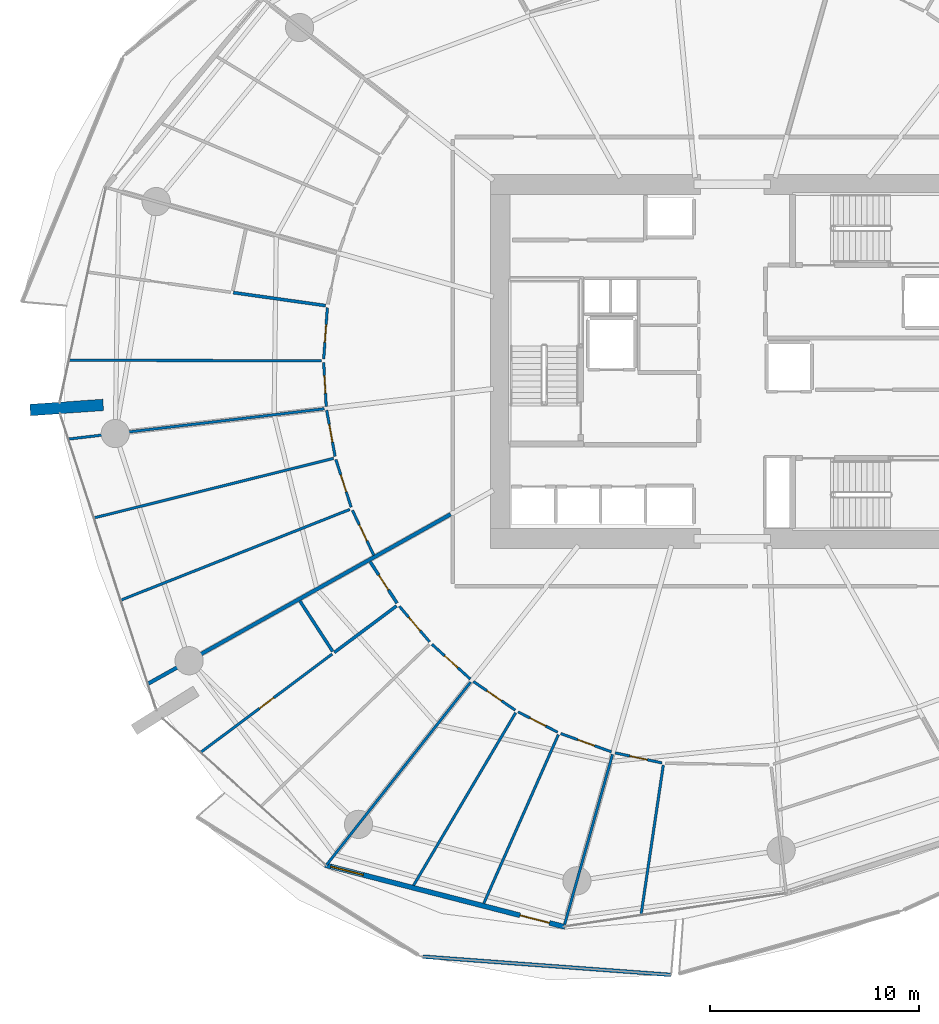
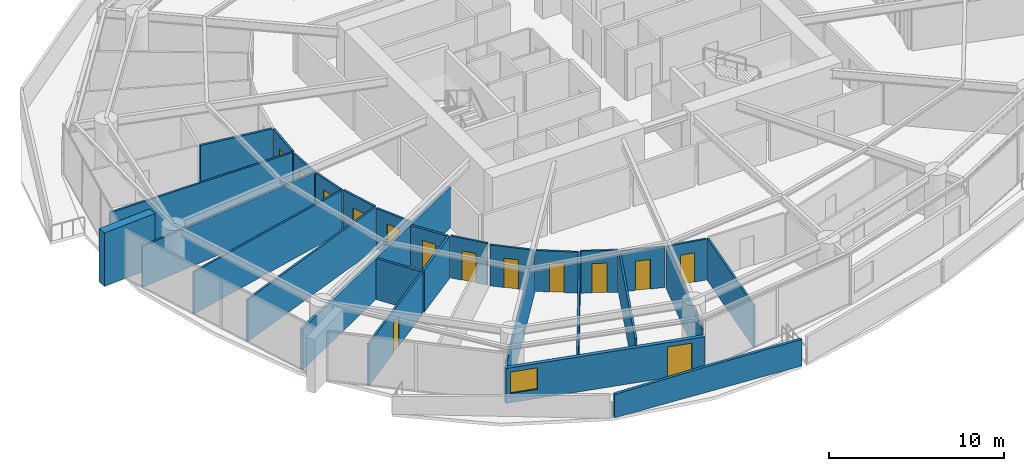
# One storey, part 19 of 31: 29 walls, 14 doors, 1 window, 15 openings.
"""IFC4 building model written with IfcOpenShell, lengths in metres."""

from ifc_helpers import new_model, si_unit, direction, frame, frame_2d, origin, place, context, subcontext, project, spatial, polyline, rectangle, outline, extrude, material, layer, layer_set, type_object, element, fill, save


model = new_model("IFC4")

# Units and contexts
model_context = context("Model", 3, precision=1e-05, world=origin(), true_north=direction((0.0, 1.0)))
body_context = subcontext(model_context, "Body", "Model", "MODEL_VIEW")
ifc_project = project(units=[si_unit("LENGTHUNIT", "METRE"), si_unit("AREAUNIT", "SQUARE_METRE"), si_unit("VOLUMEUNIT", "CUBIC_METRE"), si_unit("PLANEANGLEUNIT", "RADIAN"), si_unit("MASSUNIT", "GRAM", prefix="KILO")], contexts=[model_context])

# Site, building, storey
site_placement = place(None, origin())
site = spatial("IfcSite", under=ifc_project, at=site_placement, CompositionType="ELEMENT")
building_placement = place(site_placement, origin())
building = spatial("IfcBuilding", under=site, at=building_placement, Name="Kazma Halo Residences", CompositionType="ELEMENT")
storey_placement = place(building_placement, frame((0.0, 0.0, 48.89990234375)))
storey = spatial("IfcBuildingStorey", under=building, at=storey_placement, Name="L11", CompositionType="ELEMENT", Elevation=48.89990234375)

# Walls
ifc_material_1 = material(Name="White Concrete C50/60 Balustrade", Category="concrete")
ifc_layer_1 = layer(ifc_material_1, 0.179931640625)
ifc_layer_set_1 = layer_set([ifc_layer_1], Name="White Concrete C50/60 Balustrade")
wall_type_1 = type_object("IfcWallType", Name="WL-BAL-WAVE-180", PredefinedType="PARAPET", material=ifc_layer_set_1)
wall_1_placement = place(storey_placement, frame((33.615234375, 13.5244140625, 0.0), z_axis=(0.0, 0.0, 1.0), x_axis=(0.997303550782, -0.073386835312, 0.0)))
element("IfcWall", 1, at=wall_1_placement, inside=storey, type_object=wall_type_1, Name="L11 white wave balustrade wall SW.2", PredefinedType="PARAPET", context=body_context, shape_type="SweptSolid", body=[
    extrude(outline(polyline([(0.0, 0.0), (11.926513671875, 0.0), (11.926513671875, 1.860107421875), (5.96337890625, 1.798095703125), (0.0, 1.632080078125), (0.0, 0.0)])), frame((0.0, 0.08984375, 0.0), z_axis=(0.0, -1.0, 0.0), x_axis=(1.0, 0.0, 0.0)), (0.0, 0.0, 1.0), 0.179931640625),
])
ifc_material_2 = material(Name="Pale Concrete C60/75", Category="concrete")
ifc_layer_2 = layer(ifc_material_2, 0.550048828125)
ifc_layer_set_2 = layer_set([ifc_layer_2], Name="Pale Concrete C60/75")
wall_type_2 = type_object("IfcWallType", Name="WL-BLADE-550", PredefinedType="SOLIDWALL", material=ifc_layer_set_2)
wall_2_placement = place(storey_placement, frame((18.322021484375, 39.9248046875, 0.0), z_axis=(0.0, 0.0, 1.0), x_axis=(-0.997564163539, -0.069754853754, 0.0)))
element("IfcWall", 2, at=wall_2_placement, inside=storey, type_object=wall_type_2, Name="L11 pale concrete structural blade fin wall BW-02", PredefinedType="SOLIDWALL", context=body_context, shape_type="SweptSolid", body=[
    extrude(rectangle(XDim=3.5, YDim=0.550048828125, at=frame_2d((1.75, 0.0))), origin(), (0.0, 0.0, 1.0), 3.75),
])
ifc_material_3 = material(Name="Acoustic Twin-Stud Gypsum")
ifc_layer_3 = layer(ifc_material_3, 0.179931640625)
ifc_layer_set_3 = layer_set([ifc_layer_3], Name="Acoustic Twin-Stud Gypsum")
wall_type_3 = type_object("IfcWallType", Name="WL-DEM-180", PredefinedType="PARTITIONING", material=ifc_layer_set_3)
wall_3_placement = place(storey_placement, frame((34.9541015625, 34.694091796875, 0.0), z_axis=(0.0, 0.0, 1.0), x_axis=(-0.872493465611, -0.488625779577, 0.0)))
element("IfcWall", 3, at=wall_3_placement, inside=storey, type_object=wall_type_3, Name="L11 apartment demising radial wall 08", PredefinedType="PARTITIONING", context=body_context, shape_type="SweptSolid", body=[
    extrude(rectangle(XDim=16.586181640625, YDim=0.179931640625, at=frame_2d((8.29296875, 0.0))), origin(), (0.0, 0.0, 1.0), 2.8671875),
])

# Wall, openings, door, window
ifc_material_4 = material(Name="Insulated Pale-Metal Composite Wall")
ifc_layer_4 = layer(ifc_material_4, 0.239990234375)
ifc_layer_set_4 = layer_set([ifc_layer_4], Name="Insulated Pale-Metal Composite Wall")
wall_type_4 = type_object("IfcWallType", Name="WL-EXT-HOST-240", PredefinedType="SOLIDWALL", material=ifc_layer_set_4)
wall_4_placement = place(storey_placement, frame((28.94580078125, 17.90380859375, 0.0), z_axis=(0.0, 0.0, 1.0), x_axis=(0.96833871487, -0.249640007378, 0.0)))
wall_4 = element("IfcWall", 4, at=wall_4_placement, inside=storey, type_object=wall_type_4, Name="L11 exterior terrace-access wall B10", PredefinedType="SOLIDWALL", context=body_context, shape_type="SweptSolid", body=[
    extrude(rectangle(XDim=11.85107421875, YDim=0.239990234375, at=frame_2d((5.925537109375, 0.0))), origin(), (0.0, 0.0, 1.0), 2.4501953125),
])
opening_1_placement = place(wall_4_placement, frame((9.631103515625, 0.0, 0.0)))
opening_1 = element("IfcOpeningElement", 5, at=opening_1_placement, cuts=wall_4, Name="Opening DTR-1600", PredefinedType="OPENING", context=body_context, shape_type="SweptSolid", body=[
    extrude(rectangle(XDim=1.449951171875, YDim=2.14990234375, at=frame_2d((0.72509765625, 1.074951171875))), frame((0.0, 0.1298828125, 0.0), z_axis=(0.0, -1.0, 0.0), x_axis=(1.0, 0.0, 0.0)), (0.0, 0.0, 1.0), 0.260009765625),
])
opening_2_placement = place(wall_4_placement, frame((0.280029296875, 0.0, 0.64990234375)))
opening_2 = element("IfcOpeningElement", 6, at=opening_2_placement, cuts=wall_4, Name="Opening W-1800", PredefinedType="OPENING", context=body_context, shape_type="SweptSolid", body=[
    extrude(rectangle(XDim=1.60009765625, YDim=1.5, at=frame_2d((0.800048828125, 0.75))), frame((0.0, 0.1298828125, 0.0), z_axis=(0.0, -1.0, 0.0), x_axis=(1.0, 0.0, 0.0)), (0.0, 0.0, 1.0), 0.260009765625),
])
ifc_material_5 = material(Name="Aluminium AW-6063 T6 Double-Glazed Terrace Door", Category="aluminium")
door_type_1 = type_object("IfcDoorType", Name="DR-EXT-TERR-1600", OperationType="NOTDEFINED", PredefinedType="DOOR", material=ifc_material_5)
door_1_placement = place(opening_1_placement, origin())
door_1 = element("IfcDoor", 7, at=door_1_placement, inside=storey, type_object=door_type_1, Name="L11 B10 balcony terrace door", OperationType="DOUBLE_DOOR_SLIDING", OverallHeight=2.14990234375, OverallWidth=1.449951171875, PredefinedType="DOOR", context=body_context, shape_type="SweptSolid", body=[
    extrude(rectangle(XDim=1.449951171875, YDim=2.14990234375, at=frame_2d((0.72509765625, 1.074951171875))), frame((0.0, 0.02490234375, 0.0), z_axis=(0.0, -1.0, 0.0), x_axis=(1.0, 0.0, 0.0)), (0.0, 0.0, 1.0), 0.050048828125),
])
fill(opening_1, door_1)
ifc_material_6 = material(Name="Clear Triple-Silver Low-E Glass in Aluminium AW-6063 T6 Frame", Category="aluminium")
window_type = type_object("IfcWindowType", Name="WIN-RES-1800", PartitioningType="DOUBLE_PANEL_VERTICAL", PredefinedType="WINDOW", material=ifc_material_6)
window_placement = place(opening_2_placement, origin())
window = element("IfcWindow", 8, at=window_placement, inside=storey, type_object=window_type, Name="L11 B10 apartment window", OverallHeight=1.5, OverallWidth=1.60009765625, PartitioningType="SINGLE_PANEL", PredefinedType="WINDOW", context=body_context, shape_type="SweptSolid", body=[
    extrude(rectangle(XDim=1.60009765625, YDim=1.5, at=frame_2d((0.800048828125, 0.75))), frame((0.0, 0.030029296875, 0.0), z_axis=(0.0, -1.0, 0.0), x_axis=(1.0, 0.0, 0.0)), (0.0, 0.0, 1.0), 0.06005859375),
])
fill(opening_2, window)

# Wall
ifc_material_7 = material(Name="Gypsum Plasterboard Partition")
ifc_layer_5 = layer(ifc_material_7, 0.125)
ifc_layer_set_5 = layer_set([ifc_layer_5], Name="Gypsum Plasterboard Partition")
wall_type_5 = type_object("IfcWallType", Name="WL-PART-125", PredefinedType="PARTITIONING", material=ifc_layer_set_5)
wall_5_placement = place(storey_placement, frame((28.780029296875, 42.0380859375, 0.0), z_axis=(0.0, 0.0, 1.0), x_axis=(-0.999998036955, 0.001981435282, 0.0)))
element("IfcWall", 9, at=wall_5_placement, inside=storey, type_object=wall_type_5, Name="L11 Apartment 1 suite divider 6", PredefinedType="PARTITIONING", context=body_context, shape_type="SweptSolid", body=[
    extrude(rectangle(XDim=12.074951171875, YDim=0.125, at=frame_2d((6.03759765625, 0.0))), origin(), (0.0, 0.0, 1.0), 2.940185546875),
])

# Wall, opening, door
wall_6_placement = place(storey_placement, frame((29.05029296875, 44.575927734375, 0.0), z_axis=(0.0, 0.0, 1.0), x_axis=(-0.070831673661, -0.997488282641, 0.0)))
wall_6 = element("IfcWall", 10, at=wall_6_placement, inside=storey, type_object=wall_type_5, Name="L11 Apartment 1 Gulf Formal Dining Room hall wall", PredefinedType="PARTITIONING", context=body_context, shape_type="SweptSolid", body=[
    extrude(rectangle(XDim=2.46435546875, YDim=0.125, at=frame_2d((1.232177734375, 0.0))), origin(), (0.0, 0.0, 1.0), 2.940185546875),
])
opening_3_placement = place(wall_6_placement, frame((0.80712890625, 0.0, 0.0)))
opening_3 = element("IfcOpeningElement", 11, at=opening_3_placement, cuts=wall_6, Name="Opening DB-900", PredefinedType="OPENING", context=body_context, shape_type="SweptSolid", body=[
    extrude(rectangle(XDim=0.85009765625, YDim=2.06005859375, at=frame_2d((0.425048828125, 1.030029296875))), frame((0.0, 0.072509765625, 0.0), z_axis=(0.0, -1.0, 0.0), x_axis=(1.0, 0.0, 0.0)), (0.0, 0.0, 1.0), 0.14501953125),
])
ifc_material_8 = material(Name="Moisture-Sealed Timber Leaf", Category="wood")
door_type_2 = type_object("IfcDoorType", Name="DR-BTH-900", OperationType="NOTDEFINED", PredefinedType="DOOR", material=ifc_material_8)
door_2_placement = place(opening_3_placement, origin())
door_2 = element("IfcDoor", 12, at=door_2_placement, inside=storey, type_object=door_type_2, Name="L11 Apartment 1 Gulf Formal Dining Room door", OperationType="SINGLE_SWING_RIGHT", OverallHeight=2.06005859375, OverallWidth=0.85009765625, PredefinedType="DOOR", context=body_context, shape_type="SweptSolid", body=[
    extrude(rectangle(XDim=0.85009765625, YDim=2.06005859375, at=frame_2d((0.425048828125, 1.030029296875))), frame((0.0, 0.02490234375, 0.0), z_axis=(0.0, -1.0, 0.0), x_axis=(1.0, 0.0, 0.0)), (0.0, 0.0, 1.0), 0.050048828125),
])
fill(opening_3, door_2)

wall_7_placement = place(storey_placement, frame((28.87451171875, 41.9580078125, 0.0), z_axis=(0.0, 0.0, 1.0), x_axis=(0.057962417622, -0.998318765797, 0.0)))
wall_7 = element("IfcWall", 13, at=wall_7_placement, inside=storey, type_object=wall_type_5, Name="L11 Apartment 1 Primary Master Bedroom hall wall", PredefinedType="PARTITIONING", context=body_context, shape_type="SweptSolid", body=[
    extrude(rectangle(XDim=2.1103515625, YDim=0.125, at=frame_2d((1.05517578125, 0.0))), origin(), (0.0, 0.0, 1.0), 2.8671875),
])
opening_4_placement = place(wall_7_placement, frame((0.630126953125, 0.0, 0.0)))
opening_4 = element("IfcOpeningElement", 14, at=opening_4_placement, cuts=wall_7, Name="Opening DB-900", PredefinedType="OPENING", context=body_context, shape_type="SweptSolid", body=[
    extrude(rectangle(XDim=0.85009765625, YDim=2.06005859375, at=frame_2d((0.425048828125, 1.030029296875))), frame((0.0, 0.072509765625, 0.0), z_axis=(0.0, -1.0, 0.0), x_axis=(1.0, 0.0, 0.0)), (0.0, 0.0, 1.0), 0.14501953125),
])
door_3_placement = place(opening_4_placement, origin())
door_3 = element("IfcDoor", 15, at=door_3_placement, inside=storey, type_object=door_type_2, Name="L11 Apartment 1 Primary Master Bedroom door", OperationType="SINGLE_SWING_LEFT", OverallHeight=2.06005859375, OverallWidth=0.85009765625, PredefinedType="DOOR", context=body_context, shape_type="SweptSolid", body=[
    extrude(rectangle(XDim=0.85009765625, YDim=2.06005859375, at=frame_2d((0.425048828125, 1.030029296875))), frame((0.0, 0.02490234375, 0.0), z_axis=(0.0, -1.0, 0.0), x_axis=(1.0, 0.0, 0.0)), (0.0, 0.0, 1.0), 0.050048828125),
])
fill(opening_4, door_3)

# Walls
wall_8_placement = place(storey_placement, frame((28.9033203125, 39.73974609375, 0.0), z_axis=(0.0, 0.0, 1.0), x_axis=(-0.993068040113, -0.117540919282, 0.0)))
element("IfcWall", 16, at=wall_8_placement, inside=storey, type_object=wall_type_5, Name="L11 Apartment 1 radial partition 7", PredefinedType="PARTITIONING", context=body_context, shape_type="SweptSolid", body=[
    extrude(rectangle(XDim=12.30859375, YDim=0.125, at=frame_2d((6.154296875, 0.0))), origin(), (0.0, 0.0, 1.0), 2.8671875),
])
wall_9_placement = place(storey_placement, frame((29.346923828125, 37.366455078125, 0.0), z_axis=(0.0, 0.0, 1.0), x_axis=(-0.970510462135, -0.241059002917, 0.0)))
element("IfcWall", 17, at=wall_9_placement, inside=storey, type_object=wall_type_5, Name="L11 Apartment 1 bay wall 1 7", PredefinedType="PARTITIONING", context=body_context, shape_type="SweptSolid", body=[
    extrude(rectangle(XDim=11.789794921875, YDim=0.125, at=frame_2d((5.89501953125, 0.0))), origin(), (0.0, 0.0, 1.0), 2.940185546875),
])
wall_10_placement = place(storey_placement, frame((30.129638671875, 34.9248046875, 0.0), z_axis=(0.0, 0.0, 1.0), x_axis=(-0.929770978957, -0.368138461302, 0.0)))
element("IfcWall", 18, at=wall_10_placement, inside=storey, type_object=wall_type_5, Name="L11 Apartment 1 bay wall 2 7", PredefinedType="PARTITIONING", context=body_context, shape_type="SweptSolid", body=[
    extrude(rectangle(XDim=11.7734375, YDim=0.125, at=frame_2d((5.88671875, 0.0))), origin(), (0.0, 0.0, 1.0), 2.940185546875),
])

# Wall, opening, door
wall_11_placement = place(storey_placement, frame((29.01708984375, 39.6728515625, 0.0), z_axis=(0.0, 0.0, 1.0), x_axis=(0.179632658462, -0.983733758704, 0.0)))
wall_11 = element("IfcWall", 19, at=wall_11_placement, inside=storey, type_object=wall_type_5, Name="L11 Apartment 1 West Master Bedroom hall wall", PredefinedType="PARTITIONING", context=body_context, shape_type="SweptSolid", body=[
    extrude(rectangle(XDim=2.242431640625, YDim=0.125, at=frame_2d((1.12109375, 0.0))), origin(), (0.0, 0.0, 1.0), 2.8671875),
])
opening_5_placement = place(wall_11_placement, frame((0.6962890625, 0.0, 0.0)))
opening_5 = element("IfcOpeningElement", 20, at=opening_5_placement, cuts=wall_11, Name="Opening DB-900", PredefinedType="OPENING", context=body_context, shape_type="SweptSolid", body=[
    extrude(rectangle(XDim=0.85009765625, YDim=2.06005859375, at=frame_2d((0.425048828125, 1.030029296875))), frame((0.0, 0.072509765625, 0.0), z_axis=(0.0, -1.0, 0.0), x_axis=(1.0, 0.0, 0.0)), (0.0, 0.0, 1.0), 0.14501953125),
])
door_4_placement = place(opening_5_placement, origin())
door_4 = element("IfcDoor", 21, at=door_4_placement, inside=storey, type_object=door_type_2, Name="L11 Apartment 1 West Master Bedroom door", OperationType="SINGLE_SWING_RIGHT", OverallHeight=2.06005859375, OverallWidth=0.85009765625, PredefinedType="DOOR", context=body_context, shape_type="SweptSolid", body=[
    extrude(rectangle(XDim=0.85009765625, YDim=2.06005859375, at=frame_2d((0.425048828125, 1.030029296875))), frame((0.0, 0.02490234375, 0.0), z_axis=(0.0, -1.0, 0.0), x_axis=(1.0, 0.0, 0.0)), (0.0, 0.0, 1.0), 0.050048828125),
])
fill(opening_5, door_4)

wall_12_placement = place(storey_placement, frame((29.45849609375, 37.31201171875, 0.0), z_axis=(0.0, 0.0, 1.0), x_axis=(0.305338513131, -0.952243872335, 0.0)))
wall_12 = element("IfcWall", 22, at=wall_12_placement, inside=storey, type_object=wall_type_5, Name="L11 Apartment 1 North Dressing Wardrobe hall wall", PredefinedType="PARTITIONING", context=body_context, shape_type="SweptSolid", body=[
    extrude(rectangle(XDim=2.392333984375, YDim=0.125, at=frame_2d((1.1962890625, 0.0))), origin(), (0.0, 0.0, 1.0), 2.940185546875),
])
opening_6_placement = place(wall_12_placement, frame((0.77099609375, 0.0, 0.0)))
opening_6 = element("IfcOpeningElement", 23, at=opening_6_placement, cuts=wall_12, Name="Opening DB-900", PredefinedType="OPENING", context=body_context, shape_type="SweptSolid", body=[
    extrude(rectangle(XDim=0.85009765625, YDim=2.06005859375, at=frame_2d((0.425048828125, 1.030029296875))), frame((0.0, 0.072509765625, 0.0), z_axis=(0.0, -1.0, 0.0), x_axis=(1.0, 0.0, 0.0)), (0.0, 0.0, 1.0), 0.14501953125),
])
door_5_placement = place(opening_6_placement, origin())
door_5 = element("IfcDoor", 24, at=door_5_placement, inside=storey, type_object=door_type_2, Name="L11 Apartment 1 North Dressing Wardrobe door", OperationType="SINGLE_SWING_LEFT", OverallHeight=2.06005859375, OverallWidth=0.85009765625, PredefinedType="DOOR", context=body_context, shape_type="SweptSolid", body=[
    extrude(rectangle(XDim=0.85009765625, YDim=2.06005859375, at=frame_2d((0.425048828125, 1.030029296875))), frame((0.0, 0.02490234375, 0.0), z_axis=(0.0, -1.0, 0.0), x_axis=(1.0, 0.0, 0.0)), (0.0, 0.0, 1.0), 0.050048828125),
])
fill(opening_6, door_5)

wall_13_placement = place(storey_placement, frame((30.247802734375, 34.885498046875, 0.0), z_axis=(0.0, 0.0, 1.0), x_axis=(0.429366977128, -0.903130111862, 0.0)))
wall_13 = element("IfcWall", 25, at=wall_13_placement, inside=storey, type_object=wall_type_5, Name="L11 Apartment 1 South Master Bedroom hall wall", PredefinedType="PARTITIONING", context=body_context, shape_type="SweptSolid", body=[
    extrude(rectangle(XDim=2.39208984375, YDim=0.125, at=frame_2d((1.196044921875, 0.0))), origin(), (0.0, 0.0, 1.0), 2.8671875),
])
opening_7_placement = place(wall_13_placement, frame((0.77099609375, 0.0, 0.0)))
opening_7 = element("IfcOpeningElement", 26, at=opening_7_placement, cuts=wall_13, Name="Opening DB-900", PredefinedType="OPENING", context=body_context, shape_type="SweptSolid", body=[
    extrude(rectangle(XDim=0.85009765625, YDim=2.06005859375, at=frame_2d((0.425048828125, 1.030029296875))), frame((0.0, 0.072509765625, 0.0), z_axis=(0.0, -1.0, 0.0), x_axis=(1.0, 0.0, 0.0)), (0.0, 0.0, 1.0), 0.14501953125),
])
door_6_placement = place(opening_7_placement, origin())
door_6 = element("IfcDoor", 27, at=door_6_placement, inside=storey, type_object=door_type_2, Name="L11 Apartment 1 South Master Bedroom door", OperationType="SINGLE_SWING_RIGHT", OverallHeight=2.06005859375, OverallWidth=0.85009765625, PredefinedType="DOOR", context=body_context, shape_type="SweptSolid", body=[
    extrude(rectangle(XDim=0.85009765625, YDim=2.06005859375, at=frame_2d((0.425048828125, 1.030029296875))), frame((0.0, 0.02490234375, 0.0), z_axis=(0.0, -1.0, 0.0), x_axis=(1.0, 0.0, 0.0)), (0.0, 0.0, 1.0), 0.050048828125),
])
fill(opening_7, door_6)

wall_14_placement = place(storey_placement, frame((29.280517578125, 28.00244140625, 0.0), z_axis=(0.0, 0.0, 1.0), x_axis=(-0.800858109459, -0.598854146278, 0.0)))
wall_14 = element("IfcWall", 28, at=wall_14_placement, inside=storey, type_object=wall_type_5, Name="L11 Apartment 2 Household Store Room partition wall", PredefinedType="PARTITIONING", context=body_context, shape_type="SweptSolid", body=[
    extrude(rectangle(XDim=7.844970703125, YDim=0.125, at=frame_2d((3.92236328125, 0.0))), origin(), (0.0, 0.0, 1.0), 2.940185546875),
])
opening_8_placement = place(wall_14_placement, frame((3.49755859375, 0.0, 0.0)))
opening_8 = element("IfcOpeningElement", 29, at=opening_8_placement, cuts=wall_14, Name="Opening DB-900", PredefinedType="OPENING", context=body_context, shape_type="SweptSolid", body=[
    extrude(rectangle(XDim=0.85009765625, YDim=2.06005859375, at=frame_2d((0.425048828125, 1.030029296875))), frame((0.0, 0.072509765625, 0.0), z_axis=(0.0, -1.0, 0.0), x_axis=(1.0, 0.0, 0.0)), (0.0, 0.0, 1.0), 0.14501953125),
])
door_7_placement = place(opening_8_placement, origin())
door_7 = element("IfcDoor", 30, at=door_7_placement, inside=storey, type_object=door_type_2, Name="L11 Apartment 2 Household Store Room door", OperationType="SINGLE_SWING_LEFT", OverallHeight=2.06005859375, OverallWidth=0.85009765625, PredefinedType="DOOR", context=body_context, shape_type="SweptSolid", body=[
    extrude(rectangle(XDim=0.85009765625, YDim=2.06005859375, at=frame_2d((0.425048828125, 1.030029296875))), frame((0.0, 0.02490234375, 0.0), z_axis=(0.0, -1.0, 0.0), x_axis=(1.0, 0.0, 0.0)), (0.0, 0.0, 1.0), 0.050048828125),
])
fill(opening_8, door_7)

wall_15_placement = place(storey_placement, frame((32.494384765625, 30.29345703125, 0.0), z_axis=(0.0, 0.0, 1.0), x_axis=(0.64730971506, -0.762227087415, 0.0)))
wall_15 = element("IfcWall", 31, at=wall_15_placement, inside=storey, type_object=wall_type_5, Name="L11 Apartment 2 Gourmet Kitchen hall wall", PredefinedType="PARTITIONING", context=body_context, shape_type="SweptSolid", body=[
    extrude(rectangle(XDim=2.2392578125, YDim=0.125, at=frame_2d((1.11962890625, 0.0))), origin(), (0.0, 0.0, 1.0), 2.940185546875),
])
opening_9_placement = place(wall_15_placement, frame((0.694580078125, 0.0, 0.0)))
opening_9 = element("IfcOpeningElement", 32, at=opening_9_placement, cuts=wall_15, Name="Opening DB-900", PredefinedType="OPENING", context=body_context, shape_type="SweptSolid", body=[
    extrude(rectangle(XDim=0.85009765625, YDim=2.06005859375, at=frame_2d((0.425048828125, 1.030029296875))), frame((0.0, 0.072509765625, 0.0), z_axis=(0.0, -1.0, 0.0), x_axis=(1.0, 0.0, 0.0)), (0.0, 0.0, 1.0), 0.14501953125),
])
door_8_placement = place(opening_9_placement, origin())
door_8 = element("IfcDoor", 33, at=door_8_placement, inside=storey, type_object=door_type_2, Name="L11 Apartment 2 Gourmet Kitchen door", OperationType="SINGLE_SWING_RIGHT", OverallHeight=2.06005859375, OverallWidth=0.85009765625, PredefinedType="DOOR", context=body_context, shape_type="SweptSolid", body=[
    extrude(rectangle(XDim=0.85009765625, YDim=2.06005859375, at=frame_2d((0.425048828125, 1.030029296875))), frame((0.0, 0.02490234375, 0.0), z_axis=(0.0, -1.0, 0.0), x_axis=(1.0, 0.0, 0.0)), (0.0, 0.0, 1.0), 0.050048828125),
])
fill(opening_9, door_8)

wall_16_placement = place(storey_placement, frame((34.054931640625, 28.471923828125, 0.0), z_axis=(0.0, 0.0, 1.0), x_axis=(0.741069539407, -0.671428281921, 0.0)))
wall_16 = element("IfcWall", 34, at=wall_16_placement, inside=storey, type_object=wall_type_5, Name="L11 Apartment 2 Master Bedroom hall wall", PredefinedType="PARTITIONING", context=body_context, shape_type="SweptSolid", body=[
    extrude(rectangle(XDim=2.48193359375, YDim=0.125, at=frame_2d((1.240966796875, 0.0))), origin(), (0.0, 0.0, 1.0), 2.8671875),
])
opening_10_placement = place(wall_16_placement, frame((0.816162109375, 0.0, 0.0)))
opening_10 = element("IfcOpeningElement", 35, at=opening_10_placement, cuts=wall_16, Name="Opening DB-900", PredefinedType="OPENING", context=body_context, shape_type="SweptSolid", body=[
    extrude(rectangle(XDim=0.85009765625, YDim=2.06005859375, at=frame_2d((0.425048828125, 1.030029296875))), frame((0.0, 0.072509765625, 0.0), z_axis=(0.0, -1.0, 0.0), x_axis=(1.0, 0.0, 0.0)), (0.0, 0.0, 1.0), 0.14501953125),
])
door_9_placement = place(opening_10_placement, origin())
door_9 = element("IfcDoor", 36, at=door_9_placement, inside=storey, type_object=door_type_2, Name="L11 Apartment 2 Master Bedroom door", OperationType="SINGLE_SWING_LEFT", OverallHeight=2.06005859375, OverallWidth=0.85009765625, PredefinedType="DOOR", context=body_context, shape_type="SweptSolid", body=[
    extrude(rectangle(XDim=0.85009765625, YDim=2.06005859375, at=frame_2d((0.425048828125, 1.030029296875))), frame((0.0, 0.02490234375, 0.0), z_axis=(0.0, -1.0, 0.0), x_axis=(1.0, 0.0, 0.0)), (0.0, 0.0, 1.0), 0.050048828125),
])
fill(opening_10, door_9)

# Walls
wall_17_placement = place(storey_placement, frame((35.906494140625, 26.65966796875, 0.0), z_axis=(0.0, 0.0, 1.0), x_axis=(-0.619079945304, -0.785327970546, 0.0)))
element("IfcWall", 37, at=wall_17_placement, inside=storey, type_object=wall_type_5, Name="L11 Apartment 2 radial partition 9", PredefinedType="PARTITIONING", context=body_context, shape_type="SweptSolid", body=[
    extrude(rectangle(XDim=11.140380859375, YDim=0.125, at=frame_2d((5.5703125, 0.0))), origin(), (0.0, 0.0, 1.0), 2.8671875),
])
wall_18_placement = place(storey_placement, frame((38.0615234375, 25.19482421875, 0.0), z_axis=(0.0, 0.0, 1.0), x_axis=(-0.5090404875, -0.860742575969, 0.0)))
element("IfcWall", 38, at=wall_18_placement, inside=storey, type_object=wall_type_5, Name="L11 Apartment 2 bay wall 1 9", PredefinedType="PARTITIONING", context=body_context, shape_type="SweptSolid", body=[
    extrude(rectangle(XDim=9.593994140625, YDim=0.125, at=frame_2d((4.796875, 0.0))), origin(), (0.0, 0.0, 1.0), 2.940185546875),
])
wall_19_placement = place(storey_placement, frame((40.105712890625, 24.143310546875, 0.0), z_axis=(0.0, 0.0, 1.0), x_axis=(-0.404353353302, -0.91460284587, 0.0)))
element("IfcWall", 39, at=wall_19_placement, inside=storey, type_object=wall_type_5, Name="L11 Apartment 2 bay wall 2 9", PredefinedType="PARTITIONING", context=body_context, shape_type="SweptSolid", body=[
    extrude(rectangle(XDim=8.822998046875, YDim=0.125, at=frame_2d((4.41162109375, 0.0))), origin(), (0.0, 0.0, 1.0), 2.940185546875),
])

# Wall, opening, door
wall_20_placement = place(storey_placement, frame((36.034423828125, 26.693115234375, 0.0), z_axis=(0.0, 0.0, 1.0), x_axis=(0.824802387359, -0.56542110131, 0.0)))
wall_20 = element("IfcWall", 40, at=wall_20_placement, inside=storey, type_object=wall_type_5, Name="L11 Apartment 2 East Bedroom hall wall", PredefinedType="PARTITIONING", context=body_context, shape_type="SweptSolid", body=[
    extrude(rectangle(XDim=2.43310546875, YDim=0.125, at=frame_2d((1.216552734375, 0.0))), origin(), (0.0, 0.0, 1.0), 2.8671875),
])
opening_11_placement = place(wall_20_placement, frame((0.79150390625, 0.0, 0.0)))
opening_11 = element("IfcOpeningElement", 41, at=opening_11_placement, cuts=wall_20, Name="Opening DB-900", PredefinedType="OPENING", context=body_context, shape_type="SweptSolid", body=[
    extrude(rectangle(XDim=0.85009765625, YDim=2.06005859375, at=frame_2d((0.425048828125, 1.030029296875))), frame((0.0, 0.072509765625, 0.0), z_axis=(0.0, -1.0, 0.0), x_axis=(1.0, 0.0, 0.0)), (0.0, 0.0, 1.0), 0.14501953125),
])
door_10_placement = place(opening_11_placement, origin())
door_10 = element("IfcDoor", 42, at=door_10_placement, inside=storey, type_object=door_type_2, Name="L11 Apartment 2 East Bedroom door", OperationType="SINGLE_SWING_RIGHT", OverallHeight=2.06005859375, OverallWidth=0.85009765625, PredefinedType="DOOR", context=body_context, shape_type="SweptSolid", body=[
    extrude(rectangle(XDim=0.85009765625, YDim=2.06005859375, at=frame_2d((0.425048828125, 1.030029296875))), frame((0.0, 0.02490234375, 0.0), z_axis=(0.0, -1.0, 0.0), x_axis=(1.0, 0.0, 0.0)), (0.0, 0.0, 1.0), 0.050048828125),
])
fill(opening_11, door_10)

wall_21_placement = place(storey_placement, frame((38.178466796875, 25.235595703125, 0.0), z_axis=(0.0, 0.0, 1.0), x_axis=(0.889251803761, -0.457418003044, 0.0)))
wall_21 = element("IfcWall", 43, at=wall_21_placement, inside=storey, type_object=wall_type_5, Name="L11 Apartment 2 West Study hall wall", PredefinedType="PARTITIONING", context=body_context, shape_type="SweptSolid", body=[
    extrude(rectangle(XDim=2.1279296875, YDim=0.125, at=frame_2d((1.06396484375, 0.0))), origin(), (0.0, 0.0, 1.0), 2.940185546875),
])
opening_12_placement = place(wall_21_placement, frame((0.63916015625, 0.0, 0.0)))
opening_12 = element("IfcOpeningElement", 44, at=opening_12_placement, cuts=wall_21, Name="Opening DB-900", PredefinedType="OPENING", context=body_context, shape_type="SweptSolid", body=[
    extrude(rectangle(XDim=0.85009765625, YDim=2.06005859375, at=frame_2d((0.425048828125, 1.030029296875))), frame((0.0, 0.072509765625, 0.0), z_axis=(0.0, -1.0, 0.0), x_axis=(1.0, 0.0, 0.0)), (0.0, 0.0, 1.0), 0.14501953125),
])
door_11_placement = place(opening_12_placement, origin())
door_11 = element("IfcDoor", 45, at=door_11_placement, inside=storey, type_object=door_type_2, Name="L11 Apartment 2 West Study door", OperationType="SINGLE_SWING_LEFT", OverallHeight=2.06005859375, OverallWidth=0.85009765625, PredefinedType="DOOR", context=body_context, shape_type="SweptSolid", body=[
    extrude(rectangle(XDim=0.85009765625, YDim=2.06005859375, at=frame_2d((0.425048828125, 1.030029296875))), frame((0.0, 0.02490234375, 0.0), z_axis=(0.0, -1.0, 0.0), x_axis=(1.0, 0.0, 0.0)), (0.0, 0.0, 1.0), 0.050048828125),
])
fill(opening_12, door_11)

wall_22_placement = place(storey_placement, frame((40.21728515625, 24.198486328125, 0.0), z_axis=(0.0, 0.0, 1.0), x_axis=(0.940866942481, -0.338776322293, 0.0)))
wall_22 = element("IfcWall", 46, at=wall_22_placement, inside=storey, type_object=wall_type_5, Name="L11 Apartment 2 North Bedroom hall wall", PredefinedType="PARTITIONING", context=body_context, shape_type="SweptSolid", body=[
    extrude(rectangle(XDim=2.5849609375, YDim=0.125, at=frame_2d((1.29248046875, 0.0))), origin(), (0.0, 0.0, 1.0), 2.8671875),
])
opening_13_placement = place(wall_22_placement, frame((0.867431640625, 0.0, 0.0)))
opening_13 = element("IfcOpeningElement", 47, at=opening_13_placement, cuts=wall_22, Name="Opening DB-900", PredefinedType="OPENING", context=body_context, shape_type="SweptSolid", body=[
    extrude(rectangle(XDim=0.85009765625, YDim=2.06005859375, at=frame_2d((0.425048828125, 1.030029296875))), frame((0.0, 0.072509765625, 0.0), z_axis=(0.0, -1.0, 0.0), x_axis=(1.0, 0.0, 0.0)), (0.0, 0.0, 1.0), 0.14501953125),
])
door_12_placement = place(opening_13_placement, origin())
door_12 = element("IfcDoor", 48, at=door_12_placement, inside=storey, type_object=door_type_2, Name="L11 Apartment 2 North Bedroom door", OperationType="SINGLE_SWING_RIGHT", OverallHeight=2.06005859375, OverallWidth=0.85009765625, PredefinedType="DOOR", context=body_context, shape_type="SweptSolid", body=[
    extrude(rectangle(XDim=0.85009765625, YDim=2.06005859375, at=frame_2d((0.425048828125, 1.030029296875))), frame((0.0, 0.02490234375, 0.0), z_axis=(0.0, -1.0, 0.0), x_axis=(1.0, 0.0, 0.0)), (0.0, 0.0, 1.0), 0.050048828125),
])
fill(opening_13, door_12)

# Walls
wall_23_placement = place(storey_placement, frame((42.69775390625, 23.199462890625, 0.0), z_axis=(0.0, 0.0, 1.0), x_axis=(-0.271448482594, -0.962452970954, 0.0)))
element("IfcWall", 49, at=wall_23_placement, inside=storey, type_object=wall_type_5, Name="L11 Apartment 2 radial partition 10", PredefinedType="PARTITIONING", context=body_context, shape_type="SweptSolid", body=[
    extrude(rectangle(XDim=8.438232421875, YDim=0.125, at=frame_2d((4.21923828125, 0.0))), origin(), (0.0, 0.0, 1.0), 2.8671875),
])
wall_24_placement = place(storey_placement, frame((45.127685546875, 22.6884765625, 0.0), z_axis=(0.0, 0.0, 1.0), x_axis=(-0.147120126985, -0.989118632034, 0.0)))
element("IfcWall", 50, at=wall_24_placement, inside=storey, type_object=wall_type_5, Name="L11 Apartment 2 mid-bay wall 10", PredefinedType="PARTITIONING", context=body_context, shape_type="SweptSolid", body=[
    extrude(rectangle(XDim=7.230224609375, YDim=0.125, at=frame_2d((3.615234375, 0.0))), origin(), (0.0, 0.0, 1.0), 2.940185546875),
])

# Wall, opening, door
wall_25_placement = place(storey_placement, frame((42.822509765625, 23.274658203125, 0.0), z_axis=(0.0, 0.0, 1.0), x_axis=(0.977764973661, -0.209703734543, 0.0)))
wall_25 = element("IfcWall", 51, at=wall_25_placement, inside=storey, type_object=wall_type_5, Name="L11 Apartment 2 South Private Study hall wall", PredefinedType="PARTITIONING", context=body_context, shape_type="SweptSolid", body=[
    extrude(rectangle(XDim=2.291259765625, YDim=0.125, at=frame_2d((1.1455078125, 0.0))), origin(), (0.0, 0.0, 1.0), 2.8671875),
])
opening_14_placement = place(wall_25_placement, frame((0.720458984375, 0.0, 0.0)))
opening_14 = element("IfcOpeningElement", 52, at=opening_14_placement, cuts=wall_25, Name="Opening DB-900", PredefinedType="OPENING", context=body_context, shape_type="SweptSolid", body=[
    extrude(rectangle(XDim=0.85009765625, YDim=2.06005859375, at=frame_2d((0.425048828125, 1.030029296875))), frame((0.0, 0.072509765625, 0.0), z_axis=(0.0, -1.0, 0.0), x_axis=(1.0, 0.0, 0.0)), (0.0, 0.0, 1.0), 0.14501953125),
])
door_13_placement = place(opening_14_placement, origin())
door_13 = element("IfcDoor", 53, at=door_13_placement, inside=storey, type_object=door_type_2, Name="L11 Apartment 2 South Private Study door", OperationType="SINGLE_SWING_RIGHT", OverallHeight=2.06005859375, OverallWidth=0.85009765625, PredefinedType="DOOR", context=body_context, shape_type="SweptSolid", body=[
    extrude(rectangle(XDim=0.85009765625, YDim=2.06005859375, at=frame_2d((0.425048828125, 1.030029296875))), frame((0.0, 0.02490234375, 0.0), z_axis=(0.0, -1.0, 0.0), x_axis=(1.0, 0.0, 0.0)), (0.0, 0.0, 1.0), 0.050048828125),
])
fill(opening_14, door_13)

# Wall
ifc_material_9 = material(Name="Moisture-Resistant Gypsum")
ifc_layer_6 = layer(ifc_material_9, 0.14990234375)
ifc_layer_set_6 = layer_set([ifc_layer_6], Name="Moisture-Resistant Gypsum")
wall_type_6 = type_object("IfcWallType", Name="WL-WET-150", PredefinedType="PARTITIONING", material=ifc_layer_set_6)
wall_26_placement = place(storey_placement, frame((28.967529296875, 44.67822265625, 0.0), z_axis=(0.0, 0.0, 1.0), x_axis=(-0.990240767804, 0.139367219172, 0.0)))
element("IfcWall", 54, at=wall_26_placement, inside=storey, type_object=wall_type_6, Name="L11 Apartment 1 Garden En-Suite Bathroom side wall", PredefinedType="PARTITIONING", context=body_context, shape_type="SweptSolid", body=[
    extrude(rectangle(XDim=4.4599609375, YDim=0.14990234375, at=frame_2d((2.22998046875, 0.0))), origin(), (0.0, 0.0, 1.0), 2.940185546875),
])

# Wall, opening, door
wall_27_placement = place(storey_placement, frame((31.098388671875, 32.42041015625, 0.0), z_axis=(0.0, 0.0, 1.0), x_axis=(0.544893998924, -0.838504937336, 0.0)))
wall_27 = element("IfcWall", 55, at=wall_27_placement, inside=storey, type_object=wall_type_6, Name="L11 Apartment 2 Guest Bathroom hall wall", PredefinedType="PARTITIONING", context=body_context, shape_type="SweptSolid", body=[
    extrude(rectangle(XDim=2.36474609375, YDim=0.14990234375, at=frame_2d((1.182373046875, 0.0))), origin(), (0.0, 0.0, 1.0), 2.8671875),
])
opening_15_placement = place(wall_27_placement, frame((0.75732421875, 0.0, 0.0)))
opening_15 = element("IfcOpeningElement", 56, at=opening_15_placement, cuts=wall_27, Name="Opening DB-900", PredefinedType="OPENING", context=body_context, shape_type="SweptSolid", body=[
    extrude(rectangle(XDim=0.85009765625, YDim=2.06005859375, at=frame_2d((0.425048828125, 1.030029296875))), frame((0.0, 0.0849609375, 0.0), z_axis=(0.0, -1.0, 0.0), x_axis=(1.0, 0.0, 0.0)), (0.0, 0.0, 1.0), 0.169921875),
])
door_14_placement = place(opening_15_placement, origin())
door_14 = element("IfcDoor", 57, at=door_14_placement, inside=storey, type_object=door_type_2, Name="L11 Apartment 2 Guest Bathroom door", OperationType="SINGLE_SWING_RIGHT", OverallHeight=2.06005859375, OverallWidth=0.85009765625, PredefinedType="DOOR", context=body_context, shape_type="SweptSolid", body=[
    extrude(rectangle(XDim=0.85009765625, YDim=2.06005859375, at=frame_2d((0.425048828125, 1.030029296875))), frame((0.0, 0.02490234375, 0.0), z_axis=(0.0, -1.0, 0.0), x_axis=(1.0, 0.0, 0.0)), (0.0, 0.0, 1.0), 0.050048828125),
])
fill(opening_15, door_14)

# Walls
wall_28_placement = place(storey_placement, frame((27.7392578125, 30.5390625, 0.0), z_axis=(0.0, 0.0, 1.0), x_axis=(0.544928567987, -0.838482471965, 0.0)))
element("IfcWall", 58, at=wall_28_placement, inside=storey, type_object=wall_type_6, Name="L11 Apartment 2 Guest Bathroom back wall", PredefinedType="PARTITIONING", context=body_context, shape_type="SweptSolid", body=[
    extrude(rectangle(XDim=2.870849609375, YDim=0.14990234375, at=frame_2d((1.435546875, 0.0))), origin(), (0.0, 0.0, 1.0), 2.8671875),
])
wall_29_placement = place(storey_placement, frame((32.364013671875, 30.30810546875, 0.0), z_axis=(0.0, 0.0, 1.0), x_axis=(-0.800857594538, -0.59885483489, 0.0)))
element("IfcWall", 59, at=wall_29_placement, inside=storey, type_object=wall_type_6, Name="L11 Apartment 2 Guest Bathroom side wall", PredefinedType="PARTITIONING", context=body_context, shape_type="SweptSolid", body=[
    extrude(rectangle(XDim=3.719970703125, YDim=0.14990234375, at=frame_2d((1.85986328125, 0.0))), origin(), (0.0, 0.0, 1.0), 2.940185546875),
])

save(model, "model.ifc")
